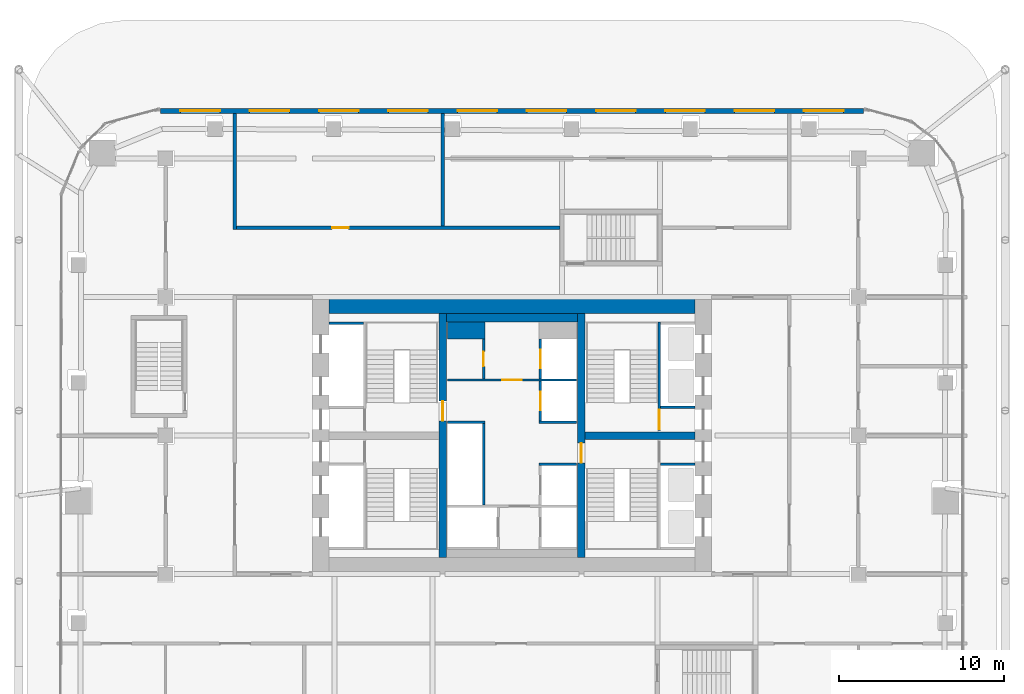
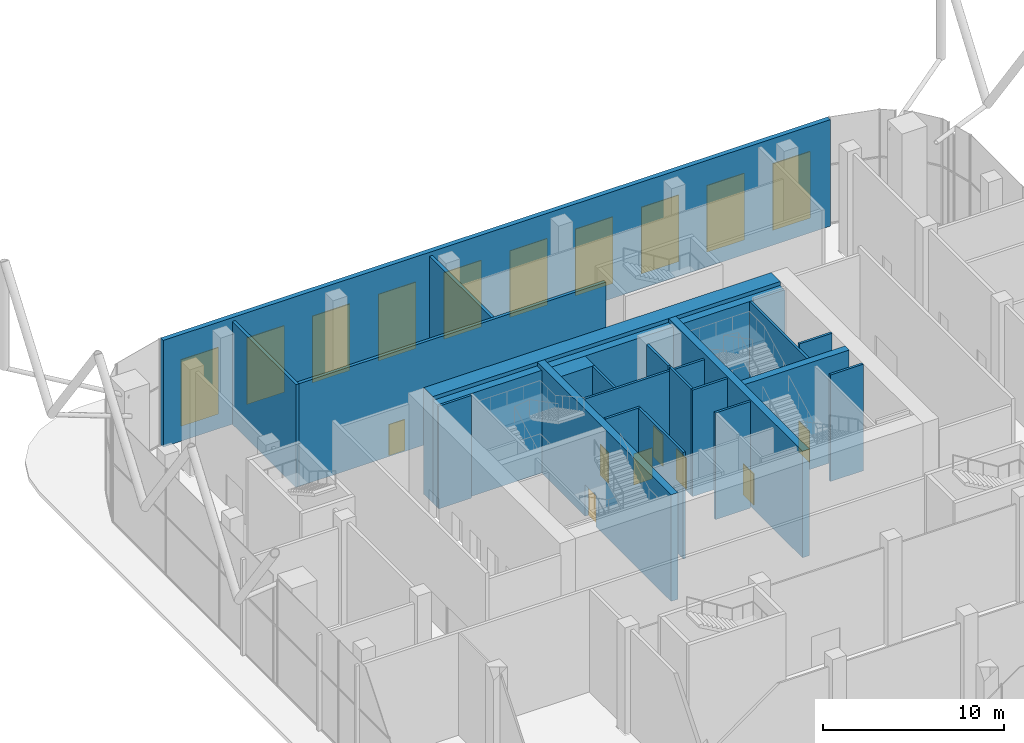
# One storey, part 27 of 34: 22 walls, 10 windows, 8 doors, 18 openings.
"""IFC4 building model written with IfcOpenShell, lengths in metres."""

from ifc_helpers import new_model, si_unit, direction, frame, frame_2d, origin, place, context, subcontext, project, spatial, rectangle, extrude, material, layer, layer_set, type_object, element, fill, save


model = new_model("IFC4")

# Units and contexts
model_context = context("Model", 3, precision=1e-05, world=origin(), true_north=direction((0.0, 1.0)))
body_context = subcontext(model_context, "Body", "Model", "MODEL_VIEW")
ifc_project = project(units=[si_unit("LENGTHUNIT", "METRE"), si_unit("AREAUNIT", "SQUARE_METRE"), si_unit("VOLUMEUNIT", "CUBIC_METRE"), si_unit("PLANEANGLEUNIT", "RADIAN"), si_unit("MASSUNIT", "GRAM", prefix="KILO")], contexts=[model_context])

# Site, building, storey
site_placement = place(None, origin())
site = spatial("IfcSite", under=ifc_project, at=site_placement, CompositionType="ELEMENT")
building_placement = place(site_placement, origin())
building = spatial("IfcBuilding", under=site, at=building_placement, Name="Marenta Gate Hotel Tower", CompositionType="ELEMENT")
storey_placement = place(building_placement, frame((0.0, 0.0, 97.699951171875)))
storey = spatial("IfcBuildingStorey", under=building, at=storey_placement, Name="L21", CompositionType="ELEMENT", Elevation=97.699951171875)

# Wall, openings, windows
ifc_material_1 = material(Name="Concrete C40 board-marked", Category="concrete")
ifc_layer_1 = layer(ifc_material_1, 0.300048828125)
ifc_layer_set_1 = layer_set([ifc_layer_1], Name="Concrete C40 board-marked")
wall_type_1 = type_object("IfcWallType", Name="Board-marked concrete wall 300 mm", PredefinedType="NOTDEFINED", material=ifc_layer_set_1)
wall_1_placement = place(storey_placement, frame((21.305908203125, 28.090087890625, 0.0), z_axis=(0.0, 0.0, 1.0), x_axis=(-1.0, 0.0, 0.0)))
wall_1 = element("IfcWall", 1, at=wall_1_placement, inside=storey, type_object=wall_type_1, Name="L21-CLD-N00", PredefinedType="NOTDEFINED", context=body_context, shape_type="SweptSolid", body=[
    extrude(rectangle(XDim=42.61181640625, YDim=0.300048828125, at=frame_2d((21.305908203125, 0.0))), origin(), (0.0, 0.0, 1.0), 7.199951171875),
])
opening_1_placement = place(wall_1_placement, frame((1.205810546875, 0.0, 0.89990234375)))
opening_1 = element("IfcOpeningElement", 2, at=opening_1_placement, cuts=wall_1, Name="Opening W4", PredefinedType="OPENING", context=body_context, shape_type="SweptSolid", body=[
    extrude(rectangle(XDim=2.39990234375, YDim=4.5, at=frame_2d((1.199951171875, 2.25))), frame((0.0, 0.14990234375, 0.0), z_axis=(0.0, -1.0, 0.0), x_axis=(1.0, 0.0, 0.0)), (0.0, 0.0, 1.0), 0.300048828125),
])
opening_2_placement = place(wall_1_placement, frame((5.406005859375, 0.0, 0.89990234375)))
opening_2 = element("IfcOpeningElement", 3, at=opening_2_placement, cuts=wall_1, Name="Opening W4", PredefinedType="OPENING", context=body_context, shape_type="SweptSolid", body=[
    extrude(rectangle(XDim=2.39990234375, YDim=4.5, at=frame_2d((1.199951171875, 2.25))), frame((0.0, 0.14990234375, 0.0), z_axis=(0.0, -1.0, 0.0), x_axis=(1.0, 0.0, 0.0)), (0.0, 0.0, 1.0), 0.300048828125),
])
opening_3_placement = place(wall_1_placement, frame((9.60595703125, 0.0, 0.89990234375)))
opening_3 = element("IfcOpeningElement", 4, at=opening_3_placement, cuts=wall_1, Name="Opening W4", PredefinedType="OPENING", context=body_context, shape_type="SweptSolid", body=[
    extrude(rectangle(XDim=2.39990234375, YDim=4.5, at=frame_2d((1.199951171875, 2.25))), frame((0.0, 0.14990234375, 0.0), z_axis=(0.0, -1.0, 0.0), x_axis=(1.0, 0.0, 0.0)), (0.0, 0.0, 1.0), 0.300048828125),
])
opening_4_placement = place(wall_1_placement, frame((13.805908203125, 0.0, 0.89990234375)))
opening_4 = element("IfcOpeningElement", 5, at=opening_4_placement, cuts=wall_1, Name="Opening W4", PredefinedType="OPENING", context=body_context, shape_type="SweptSolid", body=[
    extrude(rectangle(XDim=2.39990234375, YDim=4.5, at=frame_2d((1.199951171875, 2.25))), frame((0.0, 0.14990234375, 0.0), z_axis=(0.0, -1.0, 0.0), x_axis=(1.0, 0.0, 0.0)), (0.0, 0.0, 1.0), 0.300048828125),
])
opening_5_placement = place(wall_1_placement, frame((18.005859375, 0.0, 0.89990234375)))
opening_5 = element("IfcOpeningElement", 6, at=opening_5_placement, cuts=wall_1, Name="Opening W4", PredefinedType="OPENING", context=body_context, shape_type="SweptSolid", body=[
    extrude(rectangle(XDim=2.39990234375, YDim=4.5, at=frame_2d((1.199951171875, 2.25))), frame((0.0, 0.14990234375, 0.0), z_axis=(0.0, -1.0, 0.0), x_axis=(1.0, 0.0, 0.0)), (0.0, 0.0, 1.0), 0.300048828125),
])
opening_6_placement = place(wall_1_placement, frame((22.205810546875, 0.0, 0.89990234375)))
opening_6 = element("IfcOpeningElement", 7, at=opening_6_placement, cuts=wall_1, Name="Opening W4", PredefinedType="OPENING", context=body_context, shape_type="SweptSolid", body=[
    extrude(rectangle(XDim=2.39990234375, YDim=4.5, at=frame_2d((1.199951171875, 2.25))), frame((0.0, 0.14990234375, 0.0), z_axis=(0.0, -1.0, 0.0), x_axis=(1.0, 0.0, 0.0)), (0.0, 0.0, 1.0), 0.300048828125),
])
opening_7_placement = place(wall_1_placement, frame((26.406005859375, 0.0, 0.89990234375)))
opening_7 = element("IfcOpeningElement", 8, at=opening_7_placement, cuts=wall_1, Name="Opening W4", PredefinedType="OPENING", context=body_context, shape_type="SweptSolid", body=[
    extrude(rectangle(XDim=2.39990234375, YDim=4.5, at=frame_2d((1.199951171875, 2.25))), frame((0.0, 0.14990234375, 0.0), z_axis=(0.0, -1.0, 0.0), x_axis=(1.0, 0.0, 0.0)), (0.0, 0.0, 1.0), 0.300048828125),
])
opening_8_placement = place(wall_1_placement, frame((30.60595703125, 0.0, 0.89990234375)))
opening_8 = element("IfcOpeningElement", 9, at=opening_8_placement, cuts=wall_1, Name="Opening W4", PredefinedType="OPENING", context=body_context, shape_type="SweptSolid", body=[
    extrude(rectangle(XDim=2.39990234375, YDim=4.5, at=frame_2d((1.199951171875, 2.25))), frame((0.0, 0.14990234375, 0.0), z_axis=(0.0, -1.0, 0.0), x_axis=(1.0, 0.0, 0.0)), (0.0, 0.0, 1.0), 0.300048828125),
])
opening_9_placement = place(wall_1_placement, frame((34.805908203125, 0.0, 0.89990234375)))
opening_9 = element("IfcOpeningElement", 10, at=opening_9_placement, cuts=wall_1, Name="Opening W4", PredefinedType="OPENING", context=body_context, shape_type="SweptSolid", body=[
    extrude(rectangle(XDim=2.39990234375, YDim=4.5, at=frame_2d((1.199951171875, 2.25))), frame((0.0, 0.14990234375, 0.0), z_axis=(0.0, -1.0, 0.0), x_axis=(1.0, 0.0, 0.0)), (0.0, 0.0, 1.0), 0.300048828125),
])
opening_10_placement = place(wall_1_placement, frame((39.005859375, 0.0, 0.89990234375)))
opening_10 = element("IfcOpeningElement", 11, at=opening_10_placement, cuts=wall_1, Name="Opening W4", PredefinedType="OPENING", context=body_context, shape_type="SweptSolid", body=[
    extrude(rectangle(XDim=2.39990234375, YDim=4.5, at=frame_2d((1.199951171875, 2.25))), frame((0.0, 0.14990234375, 0.0), z_axis=(0.0, -1.0, 0.0), x_axis=(1.0, 0.0, 0.0)), (0.0, 0.0, 1.0), 0.300048828125),
])
ifc_material_2 = material(Name="Tinted insulated glass in bronze anodised frame", Category="glass")
window_type = type_object("IfcWindowType", Name="Window W4 2400x4500 bronze frame", PartitioningType="SINGLE_PANEL", PredefinedType="WINDOW", material=ifc_material_2)
window_1_placement = place(opening_1_placement, origin())
window_1 = element("IfcWindow", 12, at=window_1_placement, inside=storey, type_object=window_type, Name="Window W4", OverallHeight=4.5, OverallWidth=2.39990234375, PartitioningType="SINGLE_PANEL", PredefinedType="WINDOW", context=body_context, shape_type="SweptSolid", body=[
    extrude(rectangle(XDim=2.39990234375, YDim=4.5, at=frame_2d((1.199951171875, 2.25))), frame((0.0, 0.030029296875, 0.0), z_axis=(0.0, -1.0, 0.0), x_axis=(1.0, 0.0, 0.0)), (0.0, 0.0, 1.0), 0.06005859375),
])
fill(opening_1, window_1)
window_2_placement = place(opening_2_placement, origin())
window_2 = element("IfcWindow", 13, at=window_2_placement, inside=storey, type_object=window_type, Name="Window W4", OverallHeight=4.5, OverallWidth=2.39990234375, PartitioningType="SINGLE_PANEL", PredefinedType="WINDOW", context=body_context, shape_type="SweptSolid", body=[
    extrude(rectangle(XDim=2.39990234375, YDim=4.5, at=frame_2d((1.199951171875, 2.25))), frame((0.0, 0.030029296875, 0.0), z_axis=(0.0, -1.0, 0.0), x_axis=(1.0, 0.0, 0.0)), (0.0, 0.0, 1.0), 0.06005859375),
])
fill(opening_2, window_2)
window_3_placement = place(opening_3_placement, origin())
window_3 = element("IfcWindow", 14, at=window_3_placement, inside=storey, type_object=window_type, Name="Window W4", OverallHeight=4.5, OverallWidth=2.39990234375, PartitioningType="SINGLE_PANEL", PredefinedType="WINDOW", context=body_context, shape_type="SweptSolid", body=[
    extrude(rectangle(XDim=2.39990234375, YDim=4.5, at=frame_2d((1.199951171875, 2.25))), frame((0.0, 0.030029296875, 0.0), z_axis=(0.0, -1.0, 0.0), x_axis=(1.0, 0.0, 0.0)), (0.0, 0.0, 1.0), 0.06005859375),
])
fill(opening_3, window_3)
window_4_placement = place(opening_4_placement, origin())
window_4 = element("IfcWindow", 15, at=window_4_placement, inside=storey, type_object=window_type, Name="Window W4", OverallHeight=4.5, OverallWidth=2.39990234375, PartitioningType="SINGLE_PANEL", PredefinedType="WINDOW", context=body_context, shape_type="SweptSolid", body=[
    extrude(rectangle(XDim=2.39990234375, YDim=4.5, at=frame_2d((1.199951171875, 2.25))), frame((0.0, 0.030029296875, 0.0), z_axis=(0.0, -1.0, 0.0), x_axis=(1.0, 0.0, 0.0)), (0.0, 0.0, 1.0), 0.06005859375),
])
fill(opening_4, window_4)
window_5_placement = place(opening_5_placement, origin())
window_5 = element("IfcWindow", 16, at=window_5_placement, inside=storey, type_object=window_type, Name="Window W4", OverallHeight=4.5, OverallWidth=2.39990234375, PartitioningType="SINGLE_PANEL", PredefinedType="WINDOW", context=body_context, shape_type="SweptSolid", body=[
    extrude(rectangle(XDim=2.39990234375, YDim=4.5, at=frame_2d((1.199951171875, 2.25))), frame((0.0, 0.030029296875, 0.0), z_axis=(0.0, -1.0, 0.0), x_axis=(1.0, 0.0, 0.0)), (0.0, 0.0, 1.0), 0.06005859375),
])
fill(opening_5, window_5)
window_6_placement = place(opening_6_placement, origin())
window_6 = element("IfcWindow", 17, at=window_6_placement, inside=storey, type_object=window_type, Name="Window W4", OverallHeight=4.5, OverallWidth=2.39990234375, PartitioningType="SINGLE_PANEL", PredefinedType="WINDOW", context=body_context, shape_type="SweptSolid", body=[
    extrude(rectangle(XDim=2.39990234375, YDim=4.5, at=frame_2d((1.199951171875, 2.25))), frame((0.0, 0.030029296875, 0.0), z_axis=(0.0, -1.0, 0.0), x_axis=(1.0, 0.0, 0.0)), (0.0, 0.0, 1.0), 0.06005859375),
])
fill(opening_6, window_6)
window_7_placement = place(opening_7_placement, origin())
window_7 = element("IfcWindow", 18, at=window_7_placement, inside=storey, type_object=window_type, Name="Window W4", OverallHeight=4.5, OverallWidth=2.39990234375, PartitioningType="SINGLE_PANEL", PredefinedType="WINDOW", context=body_context, shape_type="SweptSolid", body=[
    extrude(rectangle(XDim=2.39990234375, YDim=4.5, at=frame_2d((1.199951171875, 2.25))), frame((0.0, 0.030029296875, 0.0), z_axis=(0.0, -1.0, 0.0), x_axis=(1.0, 0.0, 0.0)), (0.0, 0.0, 1.0), 0.06005859375),
])
fill(opening_7, window_7)
window_8_placement = place(opening_8_placement, origin())
window_8 = element("IfcWindow", 19, at=window_8_placement, inside=storey, type_object=window_type, Name="Window W4", OverallHeight=4.5, OverallWidth=2.39990234375, PartitioningType="SINGLE_PANEL", PredefinedType="WINDOW", context=body_context, shape_type="SweptSolid", body=[
    extrude(rectangle(XDim=2.39990234375, YDim=4.5, at=frame_2d((1.199951171875, 2.25))), frame((0.0, 0.030029296875, 0.0), z_axis=(0.0, -1.0, 0.0), x_axis=(1.0, 0.0, 0.0)), (0.0, 0.0, 1.0), 0.06005859375),
])
fill(opening_8, window_8)
window_9_placement = place(opening_9_placement, origin())
window_9 = element("IfcWindow", 20, at=window_9_placement, inside=storey, type_object=window_type, Name="Window W4", OverallHeight=4.5, OverallWidth=2.39990234375, PartitioningType="SINGLE_PANEL", PredefinedType="WINDOW", context=body_context, shape_type="SweptSolid", body=[
    extrude(rectangle(XDim=2.39990234375, YDim=4.5, at=frame_2d((1.199951171875, 2.25))), frame((0.0, 0.030029296875, 0.0), z_axis=(0.0, -1.0, 0.0), x_axis=(1.0, 0.0, 0.0)), (0.0, 0.0, 1.0), 0.06005859375),
])
fill(opening_9, window_9)
window_10_placement = place(opening_10_placement, origin())
window_10 = element("IfcWindow", 21, at=window_10_placement, inside=storey, type_object=window_type, Name="Window W4", OverallHeight=4.5, OverallWidth=2.39990234375, PartitioningType="SINGLE_PANEL", PredefinedType="WINDOW", context=body_context, shape_type="SweptSolid", body=[
    extrude(rectangle(XDim=2.39990234375, YDim=4.5, at=frame_2d((1.199951171875, 2.25))), frame((0.0, 0.030029296875, 0.0), z_axis=(0.0, -1.0, 0.0), x_axis=(1.0, 0.0, 0.0)), (0.0, 0.0, 1.0), 0.06005859375),
])
fill(opening_10, window_10)

# Wall
ifc_material_3 = material(Name="Concrete C40", Category="concrete")
ifc_layer_2 = layer(ifc_material_3, 0.5)
ifc_layer_set_2 = layer_set([ifc_layer_2], Name="Concrete C40")
wall_type_2 = type_object("IfcWallType", Name="Core lining wall 500 REI 180", PredefinedType="PARTITIONING", material=ifc_layer_set_2)
wall_2_placement = place(storey_placement, frame((-11.10009765625, 15.550048828125, 0.0), z_axis=(0.0, 0.0, 1.0), x_axis=(1.0, 0.0, 0.0)))
element("IfcWall", 22, at=wall_2_placement, inside=storey, type_object=wall_type_2, Name="L21-CP-LN-N", PredefinedType="PARTITIONING", context=body_context, shape_type="SweptSolid", body=[
    extrude(rectangle(XDim=22.2001953125, YDim=0.5, at=frame_2d((11.10009765625, 0.0))), origin(), (0.0, 0.0, 1.0), 6.93994140625),
])

# Wall, opening, door
ifc_material_4 = material(Name="Concrete blockwork", Category="masonry")
ifc_layer_3 = layer(ifc_material_4, 0.14990234375)
ifc_layer_set_3 = layer_set([ifc_layer_3], Name="Concrete blockwork")
wall_type_3 = type_object("IfcWallType", Name="Core lobby partition 150 REI 180", PredefinedType="PARTITIONING", material=ifc_layer_set_3)
wall_3_placement = place(storey_placement, frame((-3.89990234375, 11.77490234375, 0.0), z_axis=(0.0, 0.0, 1.0), x_axis=(1.0, 0.0, 0.0)))
wall_3 = element("IfcWall", 23, at=wall_3_placement, inside=storey, type_object=wall_type_3, Name="L21-CP-CW-N", PredefinedType="PARTITIONING", context=body_context, shape_type="SweptSolid", body=[
    extrude(rectangle(XDim=7.7998046875, YDim=0.14990234375, at=frame_2d((3.89990234375, 0.0))), origin(), (0.0, 0.0, 1.0), 6.93994140625),
])
opening_11_placement = place(wall_3_placement, frame((3.300048828125, 0.0, 0.0)))
opening_11 = element("IfcOpeningElement", 24, at=opening_11_placement, cuts=wall_3, Name="Opening FD-FFN", PredefinedType="OPENING", context=body_context, shape_type="SweptSolid", body=[
    extrude(rectangle(XDim=1.199951171875, YDim=2.10009765625, at=frame_2d((0.60009765625, 1.050048828125))), frame((0.0, 0.074951171875, 0.0), z_axis=(0.0, -1.0, 0.0), x_axis=(1.0, 0.0, 0.0)), (0.0, 0.0, 1.0), 0.14990234375),
])
ifc_material_5 = material(Name="Steel", Category="steel")
door_type_1 = type_object("IfcDoorType", Name="Core lobby door 1200x2100 FD60", OperationType="SINGLE_SWING_LEFT", PredefinedType="DOOR", material=ifc_material_5)
door_1_placement = place(opening_11_placement, origin())
door_1 = element("IfcDoor", 25, at=door_1_placement, inside=storey, type_object=door_type_1, Name="FD-FFN", OperationType="SINGLE_SWING_LEFT", OverallHeight=2.10009765625, OverallWidth=1.199951171875, PredefinedType="DOOR", context=body_context, shape_type="SweptSolid", body=[
    extrude(rectangle(XDim=1.199951171875, YDim=2.10009765625, at=frame_2d((0.60009765625, 1.050048828125))), frame((0.0, 0.02490234375, 0.0), z_axis=(0.0, -1.0, 0.0), x_axis=(1.0, 0.0, 0.0)), (0.0, 0.0, 1.0), 0.050048828125),
])
fill(opening_11, door_1)

# Wall
ifc_material_6 = material(Name="Concrete blockwork", Category="masonry")
ifc_layer_4 = layer(ifc_material_6, 1.050048828125)
ifc_layer_set_4 = layer_set([ifc_layer_4], Name="Concrete blockwork")
wall_type_4 = type_object("IfcWallType", Name="Core room partition 1050 REI 180", PredefinedType="PARTITIONING", material=ifc_layer_set_4)
wall_4_placement = place(storey_placement, frame((-3.89990234375, 14.77490234375, 0.0), z_axis=(0.0, 0.0, 1.0), x_axis=(1.0, 0.0, 0.0)))
element("IfcWall", 26, at=wall_4_placement, inside=storey, type_object=wall_type_4, Name="L21-CP-CW-W-riser-N", PredefinedType="PARTITIONING", context=body_context, shape_type="SweptSolid", body=[
    extrude(rectangle(XDim=2.25, YDim=1.050048828125, at=frame_2d((1.125, 0.0))), origin(), (0.0, 0.0, 1.0), 6.93994140625),
])

# Wall, opening, door
ifc_material_7 = material(Name="Concrete blockwork", Category="masonry")
ifc_layer_5 = layer(ifc_material_7, 0.14990234375)
ifc_layer_set_5 = layer_set([ifc_layer_5], Name="Concrete blockwork")
wall_type_5 = type_object("IfcWallType", Name="Core room partition 150 REI 180", PredefinedType="PARTITIONING", material=ifc_layer_set_5)
wall_5_placement = place(storey_placement, frame((-1.72509765625, 11.85009765625, 0.0), z_axis=(0.0, 0.0, 1.0), x_axis=(0.0, 1.0, 0.0)))
wall_5 = element("IfcWall", 27, at=wall_5_placement, inside=storey, type_object=wall_type_5, Name="L21-CP-CW-W-riser-front", PredefinedType="PARTITIONING", context=body_context, shape_type="SweptSolid", body=[
    extrude(rectangle(XDim=2.39990234375, YDim=0.14990234375, at=frame_2d((1.199951171875, 0.0))), origin(), (0.0, 0.0, 1.0), 6.93994140625),
])
opening_12_placement = place(wall_5_placement, frame((0.75, 0.0, 0.0)))
opening_12 = element("IfcOpeningElement", 28, at=opening_12_placement, cuts=wall_5, Name="Opening RD-CRISER", PredefinedType="OPENING", context=body_context, shape_type="SweptSolid", body=[
    extrude(rectangle(XDim=0.89990234375, YDim=2.10009765625, at=frame_2d((0.449951171875, 1.050048828125))), frame((0.0, 0.074951171875, 0.0), z_axis=(0.0, -1.0, 0.0), x_axis=(1.0, 0.0, 0.0)), (0.0, 0.0, 1.0), 0.14990234375),
])
ifc_material_8 = material(Name="Steel", Category="steel")
door_type_2 = type_object("IfcDoorType", Name="Core riser door 900x2100 FD60", OperationType="SINGLE_SWING_LEFT", PredefinedType="DOOR", material=ifc_material_8)
door_2_placement = place(opening_12_placement, origin())
door_2 = element("IfcDoor", 29, at=door_2_placement, inside=storey, type_object=door_type_2, Name="RD-CRISER", OperationType="SINGLE_SWING_LEFT", OverallHeight=2.10009765625, OverallWidth=0.89990234375, PredefinedType="DOOR", context=body_context, shape_type="SweptSolid", body=[
    extrude(rectangle(XDim=0.89990234375, YDim=2.10009765625, at=frame_2d((0.449951171875, 1.050048828125))), frame((0.0, 0.02490234375, 0.0), z_axis=(0.0, -1.0, 0.0), x_axis=(1.0, 0.0, 0.0)), (0.0, 0.0, 1.0), 0.050048828125),
])
fill(opening_12, door_2)

# Walls
ifc_material_9 = material(Name="Concrete C40", Category="concrete")
ifc_layer_6 = layer(ifc_material_9, 0.14990234375)
ifc_layer_set_6 = layer_set([ifc_layer_6], Name="Concrete C40")
wall_type_6 = type_object("IfcWallType", Name="Core shaft wall 150 REI 180", PredefinedType="SHEAR", material=ifc_layer_set_6)
wall_6_placement = place(storey_placement, frame((-11.10009765625, 15.22509765625, 0.0), z_axis=(0.0, 0.0, 1.0), x_axis=(1.0, 0.0, 0.0)))
element("IfcWall", 30, at=wall_6_placement, inside=storey, type_object=wall_type_6, Name="L21-SHF-SW-WN-5", PredefinedType="SHEAR", context=body_context, shape_type="SweptSolid", body=[
    extrude(rectangle(XDim=2.10009765625, YDim=0.14990234375, at=frame_2d((1.050048828125, 0.0))), origin(), (0.0, 0.0, 1.0), 6.93994140625),
])
for number, where, z_axis, x_axis, name in (
    (31, (9.0, 6.675048828125, 0.0), (0.0, 0.0, 1.0), (1.0, 0.0, 0.0), "L21-SHF-SW-ES-2"),
    (32, (9.0, 10.125, 0.0), (0.0, 0.0, 1.0), (1.0, 0.0, 0.0), "L21-SHF-SW-EN-2"),
):
    element("IfcWall", number, at=place(storey_placement, frame(where, z_axis=z_axis, x_axis=x_axis)), inside=storey, type_object=wall_type_6, Name=name, PredefinedType="SHEAR", context=body_context, shape_type="SweptSolid", body=[
        extrude(rectangle(XDim=2.10009765625, YDim=0.14990234375, at=frame_2d((1.050048828125, 0.0))), origin(), (0.0, 0.0, 1.0), 7.199951171875),
    ])
wall_7_placement = place(storey_placement, frame((-1.72509765625, 4.199951171875, 0.0), z_axis=(0.0, 0.0, 1.0), x_axis=(0.0, 1.0, 0.0)))
element("IfcWall", 33, at=wall_7_placement, inside=storey, type_object=wall_type_6, Name="L21-SHF-CW-W-front", PredefinedType="SHEAR", context=body_context, shape_type="SweptSolid", body=[
    extrude(rectangle(XDim=4.949951171875, YDim=0.14990234375, at=frame_2d((2.47509765625, 0.0))), origin(), (0.0, 0.0, 1.0), 7.199951171875),
])
wall_8_placement = place(storey_placement, frame((-3.89990234375, 9.22509765625, 0.0), z_axis=(0.0, 0.0, 1.0), x_axis=(1.0, 0.0, 0.0)))
element("IfcWall", 34, at=wall_8_placement, inside=storey, type_object=wall_type_6, Name="L21-SHF-CW-W-sep", PredefinedType="SHEAR", context=body_context, shape_type="SweptSolid", body=[
    extrude(rectangle(XDim=2.25, YDim=0.14990234375, at=frame_2d((1.125, 0.0))), origin(), (0.0, 0.0, 1.0), 7.199951171875),
])

# Wall, opening, door
wall_9_placement = place(storey_placement, frame((1.72509765625, 11.85009765625, 0.0), z_axis=(0.0, 0.0, 1.0), x_axis=(0.0, 1.0, 0.0)))
wall_9 = element("IfcWall", 35, at=wall_9_placement, inside=storey, type_object=wall_type_6, Name="L21-SHF-CE-N-front2", PredefinedType="SHEAR", context=body_context, shape_type="SweptSolid", body=[
    extrude(rectangle(XDim=2.39990234375, YDim=0.14990234375, at=frame_2d((1.199951171875, 0.0))), origin(), (0.0, 0.0, 1.0), 7.199951171875),
])
opening_13_placement = place(wall_9_placement, frame((0.64990234375, 0.0, 0.0)))
opening_13 = element("IfcOpeningElement", 36, at=opening_13_placement, cuts=wall_9, Name="Opening LD-FF2", PredefinedType="OPENING", context=body_context, shape_type="SweptSolid", body=[
    extrude(rectangle(XDim=1.10009765625, YDim=2.10009765625, at=frame_2d((0.550048828125, 1.050048828125))), frame((0.0, 0.074951171875, 0.0), z_axis=(0.0, -1.0, 0.0), x_axis=(1.0, 0.0, 0.0)), (0.0, 0.0, 1.0), 0.14990234375),
])
ifc_material_10 = material(Name="Steel", Category="steel")
door_type_3 = type_object("IfcDoorType", Name="Core lift landing door 1100x2100 E 60", OperationType="SLIDING_TO_LEFT", PredefinedType="DOOR", material=ifc_material_10)
door_3_placement = place(opening_13_placement, origin())
door_3 = element("IfcDoor", 37, at=door_3_placement, inside=storey, type_object=door_type_3, Name="LD-FF2", OperationType="SLIDING_TO_LEFT", OverallHeight=2.10009765625, OverallWidth=1.10009765625, PredefinedType="DOOR", context=body_context, shape_type="SweptSolid", body=[
    extrude(rectangle(XDim=1.10009765625, YDim=2.10009765625, at=frame_2d((0.550048828125, 1.050048828125))), frame((0.0, 0.02490234375, 0.0), z_axis=(0.0, -1.0, 0.0), x_axis=(1.0, 0.0, 0.0)), (0.0, 0.0, 1.0), 0.050048828125),
])
fill(opening_13, door_3)

# Walls
for number, where, z_axis, x_axis, name in (
    (38, (1.64990234375, 6.675048828125, 0.0), (0.0, 0.0, 1.0), (1.0, 0.0, 0.0), "L21-SHF-CE-sep1"),
    (39, (1.64990234375, 9.22509765625, 0.0), (0.0, 0.0, 1.0), (1.0, 0.0, 0.0), "L21-SHF-CE-sep2"),
):
    element("IfcWall", number, at=place(storey_placement, frame(where, z_axis=z_axis, x_axis=x_axis)), inside=storey, type_object=wall_type_6, Name=name, PredefinedType="SHEAR", context=body_context, shape_type="SweptSolid", body=[
        extrude(rectangle(XDim=2.25, YDim=0.14990234375, at=frame_2d((1.125, 0.0))), origin(), (0.0, 0.0, 1.0), 7.199951171875),
    ])

# Wall, opening, door
wall_10_placement = place(storey_placement, frame((1.72509765625, 9.300048828125, 0.0), z_axis=(0.0, 0.0, 1.0), x_axis=(0.0, 1.0, 0.0)))
wall_10 = element("IfcWall", 40, at=wall_10_placement, inside=storey, type_object=wall_type_6, Name="L21-SHF-CE-front-2", PredefinedType="SHEAR", context=body_context, shape_type="SweptSolid", body=[
    extrude(rectangle(XDim=2.39990234375, YDim=0.14990234375, at=frame_2d((1.199951171875, 0.0))), origin(), (0.0, 0.0, 1.0), 7.199951171875),
])
opening_14_placement = place(wall_10_placement, frame((0.64990234375, 0.0, 0.0)))
opening_14 = element("IfcOpeningElement", 41, at=opening_14_placement, cuts=wall_10, Name="Opening LD-SH2", PredefinedType="OPENING", context=body_context, shape_type="SweptSolid", body=[
    extrude(rectangle(XDim=1.10009765625, YDim=2.10009765625, at=frame_2d((0.550048828125, 1.050048828125))), frame((0.0, 0.074951171875, 0.0), z_axis=(0.0, -1.0, 0.0), x_axis=(1.0, 0.0, 0.0)), (0.0, 0.0, 1.0), 0.14990234375),
])
door_4_placement = place(opening_14_placement, origin())
door_4 = element("IfcDoor", 42, at=door_4_placement, inside=storey, type_object=door_type_3, Name="LD-SH2", OperationType="SLIDING_TO_LEFT", OverallHeight=2.10009765625, OverallWidth=1.10009765625, PredefinedType="DOOR", context=body_context, shape_type="SweptSolid", body=[
    extrude(rectangle(XDim=1.10009765625, YDim=2.10009765625, at=frame_2d((0.550048828125, 1.050048828125))), frame((0.0, 0.02490234375, 0.0), z_axis=(0.0, -1.0, 0.0), x_axis=(1.0, 0.0, 0.0)), (0.0, 0.0, 1.0), 0.050048828125),
])
fill(opening_14, door_4)

ifc_material_11 = material(Name="Concrete C40", Category="concrete")
ifc_layer_7 = layer(ifc_material_11, 0.14990234375)
ifc_layer_set_7 = layer_set([ifc_layer_7], Name="Concrete C40")
wall_type_7 = type_object("IfcWallType", Name="Core stair enclosure wall 150 REI 180", PredefinedType="SHEAR", material=ifc_layer_set_7)
wall_11_placement = place(storey_placement, frame((8.925048828125, 8.699951171875, 0.0), z_axis=(0.0, 0.0, 1.0), x_axis=(0.0, 1.0, 0.0)))
wall_11 = element("IfcWall", 43, at=wall_11_placement, inside=storey, type_object=wall_type_7, Name="L21-SHF-SW-EN-3", PredefinedType="SHEAR", context=body_context, shape_type="SweptSolid", body=[
    extrude(rectangle(XDim=6.60009765625, YDim=0.14990234375, at=frame_2d((3.300048828125, 0.0))), origin(), (0.0, 0.0, 1.0), 6.93994140625),
])
opening_15_placement = place(wall_11_placement, frame((0.074951171875, 0.0, 0.0)))
opening_15 = element("IfcOpeningElement", 44, at=opening_15_placement, cuts=wall_11, Name="Opening SD-EN", PredefinedType="OPENING", context=body_context, shape_type="SweptSolid", body=[
    extrude(rectangle(XDim=1.199951171875, YDim=2.10009765625, at=frame_2d((0.60009765625, 1.050048828125))), frame((0.0, 0.074951171875, 0.0), z_axis=(0.0, -1.0, 0.0), x_axis=(1.0, 0.0, 0.0)), (0.0, 0.0, 1.0), 0.14990234375),
])
ifc_material_12 = material(Name="Steel", Category="steel")
door_type_4 = type_object("IfcDoorType", Name="Core stair door 1200x2100 FD60", OperationType="SINGLE_SWING_LEFT", PredefinedType="DOOR", material=ifc_material_12)
door_5_placement = place(opening_15_placement, origin())
door_5 = element("IfcDoor", 45, at=door_5_placement, inside=storey, type_object=door_type_4, Name="SD-EN", OperationType="SINGLE_SWING_LEFT", OverallHeight=2.10009765625, OverallWidth=1.199951171875, PredefinedType="DOOR", context=body_context, shape_type="SweptSolid", body=[
    extrude(rectangle(XDim=1.199951171875, YDim=2.10009765625, at=frame_2d((0.60009765625, 1.050048828125))), frame((0.0, 0.02490234375, 0.0), z_axis=(0.0, -1.0, 0.0), x_axis=(1.0, 0.0, 0.0)), (0.0, 0.0, 1.0), 0.050048828125),
])
fill(opening_15, door_5)

# Wall
ifc_material_13 = material(Name="Concrete C70", Category="concrete")
ifc_layer_8 = layer(ifc_material_13, 1.0)
ifc_layer_set_8 = layer_set([ifc_layer_8], Name="Concrete C70")
wall_type_8 = type_object("IfcWallType", Name="Core wall 1000 C70", PredefinedType="SHEAR", material=ifc_layer_set_8)
wall_12_placement = place(storey_placement, frame((-11.10009765625, 16.300048828125, 0.0), z_axis=(0.0, 0.0, 1.0), x_axis=(1.0, 0.0, 0.0)))
element("IfcWall", 46, at=wall_12_placement, inside=storey, type_object=wall_type_8, Name="L21-CORE-N", PredefinedType="SHEAR", context=body_context, shape_type="SweptSolid", body=[
    extrude(rectangle(XDim=22.2001953125, YDim=1.0, at=frame_2d((11.10009765625, 0.0))), origin(), (0.0, 0.0, 1.0), 7.199951171875),
])

# Wall, opening, door
ifc_material_14 = material(Name="Concrete C70", Category="concrete")
ifc_layer_9 = layer(ifc_material_14, 0.449951171875)
ifc_layer_set_9 = layer_set([ifc_layer_9], Name="Concrete C70")
wall_type_9 = type_object("IfcWallType", Name="Core web 450 C70", PredefinedType="SHEAR", material=ifc_layer_set_9)
wall_13_placement = place(storey_placement, frame((-4.199951171875, 1.0, 0.0), z_axis=(0.0, 0.0, 1.0), x_axis=(0.0, 1.0, 0.0)))
wall_13 = element("IfcWall", 47, at=wall_13_placement, inside=storey, type_object=wall_type_9, Name="L21-CORE-W1", PredefinedType="SHEAR", context=body_context, shape_type="SweptSolid", body=[
    extrude(rectangle(XDim=14.800048828125, YDim=0.449951171875, at=frame_2d((7.39990234375, 0.0))), origin(), (0.0, 0.0, 1.0), 7.199951171875),
])
opening_16_placement = place(wall_13_placement, frame((8.300048828125, 0.0, 0.0)))
opening_16 = element("IfcOpeningElement", 48, at=opening_16_placement, cuts=wall_13, Name="Opening WD-W", PredefinedType="OPENING", context=body_context, shape_type="SweptSolid", body=[
    extrude(rectangle(XDim=1.199951171875, YDim=2.10009765625, at=frame_2d((0.60009765625, 1.050048828125))), frame((0.0, 0.22509765625, 0.0), z_axis=(0.0, -1.0, 0.0), x_axis=(1.0, 0.0, 0.0)), (0.0, 0.0, 1.0), 0.449951171875),
])
door_6_placement = place(opening_16_placement, origin())
door_6 = element("IfcDoor", 49, at=door_6_placement, inside=storey, type_object=door_type_4, Name="WD-W", OperationType="SINGLE_SWING_LEFT", OverallHeight=2.10009765625, OverallWidth=1.199951171875, PredefinedType="DOOR", context=body_context, shape_type="SweptSolid", body=[
    extrude(rectangle(XDim=1.199951171875, YDim=2.10009765625, at=frame_2d((0.60009765625, 1.050048828125))), frame((0.0, 0.02490234375, 0.0), z_axis=(0.0, -1.0, 0.0), x_axis=(1.0, 0.0, 0.0)), (0.0, 0.0, 1.0), 0.050048828125),
])
fill(opening_16, door_6)

wall_14_placement = place(storey_placement, frame((4.199951171875, 1.0, 0.0), z_axis=(0.0, 0.0, 1.0), x_axis=(0.0, 1.0, 0.0)))
wall_14 = element("IfcWall", 50, at=wall_14_placement, inside=storey, type_object=wall_type_9, Name="L21-CORE-W2", PredefinedType="SHEAR", context=body_context, shape_type="SweptSolid", body=[
    extrude(rectangle(XDim=14.800048828125, YDim=0.449951171875, at=frame_2d((7.39990234375, 0.0))), origin(), (0.0, 0.0, 1.0), 7.199951171875),
])
opening_17_placement = place(wall_14_placement, frame((5.75, 0.0, 0.0)))
opening_17 = element("IfcOpeningElement", 51, at=opening_17_placement, cuts=wall_14, Name="Opening WD-E", PredefinedType="OPENING", context=body_context, shape_type="SweptSolid", body=[
    extrude(rectangle(XDim=1.199951171875, YDim=2.10009765625, at=frame_2d((0.60009765625, 1.050048828125))), frame((0.0, 0.22509765625, 0.0), z_axis=(0.0, -1.0, 0.0), x_axis=(1.0, 0.0, 0.0)), (0.0, 0.0, 1.0), 0.449951171875),
])
door_7_placement = place(opening_17_placement, origin())
door_7 = element("IfcDoor", 52, at=door_7_placement, inside=storey, type_object=door_type_4, Name="WD-E", OperationType="SINGLE_SWING_LEFT", OverallHeight=2.10009765625, OverallWidth=1.199951171875, PredefinedType="DOOR", context=body_context, shape_type="SweptSolid", body=[
    extrude(rectangle(XDim=1.199951171875, YDim=2.10009765625, at=frame_2d((0.60009765625, 1.050048828125))), frame((0.0, 0.02490234375, 0.0), z_axis=(0.0, -1.0, 0.0), x_axis=(1.0, 0.0, 0.0)), (0.0, 0.0, 1.0), 0.050048828125),
])
fill(opening_17, door_7)

# Walls
wall_15_placement = place(storey_placement, frame((4.425048828125, 8.39990234375, 0.0), z_axis=(0.0, 0.0, 1.0), x_axis=(1.0, 0.0, 0.0)))
element("IfcWall", 53, at=wall_15_placement, inside=storey, type_object=wall_type_9, Name="L21-CORE-W4", PredefinedType="SHEAR", context=body_context, shape_type="SweptSolid", body=[
    extrude(rectangle(XDim=6.675048828125, YDim=0.449951171875, at=frame_2d((3.33740234375, 0.0))), origin(), (0.0, 0.0, 1.0), 7.199951171875),
])
ifc_material_15 = material(Name="Gypsum board on steel stud", Category="steel")
ifc_layer_10 = layer(ifc_material_15, 0.199951171875)
ifc_layer_set_10 = layer_set([ifc_layer_10], Name="Gypsum board on steel stud")
wall_type_10 = type_object("IfcWallType", Name="Room corridor wall 200 EI 60", PredefinedType="PARTITIONING", material=ifc_layer_set_10)
wall_16_placement = place(storey_placement, frame((-16.800048828125, 20.89990234375, 0.0), z_axis=(0.0, 0.0, 1.0), x_axis=(0.0, 1.0, 0.0)))
element("IfcWall", 54, at=wall_16_placement, inside=storey, type_object=wall_type_10, Name="L21-PTN-W020", PredefinedType="PARTITIONING", context=body_context, shape_type="SweptSolid", body=[
    extrude(rectangle(XDim=7.0400390625, YDim=0.199951171875, at=frame_2d((3.52001953125, 0.0))), origin(), (0.0, 0.0, 1.0), 6.93994140625),
])

# Wall, opening, door
wall_17_placement = place(storey_placement, frame((-16.699951171875, 21.0, 0.0), z_axis=(0.0, 0.0, 1.0), x_axis=(1.0, 0.0, 0.0)))
wall_17 = element("IfcWall", 55, at=wall_17_placement, inside=storey, type_object=wall_type_10, Name="L21-PTN-W026", PredefinedType="PARTITIONING", context=body_context, shape_type="SweptSolid", body=[
    extrude(rectangle(XDim=19.599853515625, YDim=0.199951171875, at=frame_2d((9.7998046875, 0.0))), origin(), (0.0, 0.0, 1.0), 6.93994140625),
])
opening_18_placement = place(wall_17_placement, frame((5.800048828125, 0.0, 0.0)))
opening_18 = element("IfcOpeningElement", 56, at=opening_18_placement, cuts=wall_17, Name="Opening S08-07", PredefinedType="OPENING", context=body_context, shape_type="SweptSolid", body=[
    extrude(rectangle(XDim=1.0, YDim=2.10009765625, at=frame_2d((0.5, 1.050048828125))), frame((0.0, 0.10009765625, 0.0), z_axis=(0.0, -1.0, 0.0), x_axis=(1.0, 0.0, 0.0)), (0.0, 0.0, 1.0), 0.199951171875),
])
ifc_material_16 = material(Name="Timber door leaf", Category="wood")
door_type_5 = type_object("IfcDoorType", Name="Room amenity door 1000x2100 EI 30", OperationType="NOTDEFINED", PredefinedType="DOOR", material=ifc_material_16)
door_8_placement = place(opening_18_placement, origin())
door_8 = element("IfcDoor", 57, at=door_8_placement, inside=storey, type_object=door_type_5, Name="L21-PD-D007", OperationType="SINGLE_SWING_LEFT", OverallHeight=2.10009765625, OverallWidth=1.0, PredefinedType="DOOR", context=body_context, shape_type="SweptSolid", body=[
    extrude(rectangle(XDim=1.0, YDim=2.10009765625, at=frame_2d((0.5, 1.050048828125))), frame((0.0, 0.02490234375, 0.0), z_axis=(0.0, -1.0, 0.0), x_axis=(1.0, 0.0, 0.0)), (0.0, 0.0, 1.0), 0.050048828125),
])
fill(opening_18, door_8)

# Wall
ifc_material_17 = material(Name="Concrete blockwork", Category="masonry")
ifc_layer_11 = layer(ifc_material_17, 0.199951171875)
ifc_layer_set_11 = layer_set([ifc_layer_11], Name="Concrete blockwork")
wall_type_11 = type_object("IfcWallType", Name="Room party wall 200 EI 120", PredefinedType="PARTITIONING", material=ifc_layer_set_11)
wall_18_placement = place(storey_placement, frame((-4.199951171875, 21.10009765625, 0.0), z_axis=(0.0, 0.0, 1.0), x_axis=(0.0, 1.0, 0.0)))
element("IfcWall", 58, at=wall_18_placement, inside=storey, type_object=wall_type_11, Name="L21-PTN-W015", PredefinedType="PARTITIONING", context=body_context, shape_type="SweptSolid", body=[
    extrude(rectangle(XDim=6.83984375, YDim=0.199951171875, at=frame_2d((3.419921875, 0.0))), origin(), (0.0, 0.0, 1.0), 6.93994140625),
])

save(model, "model.ifc")
